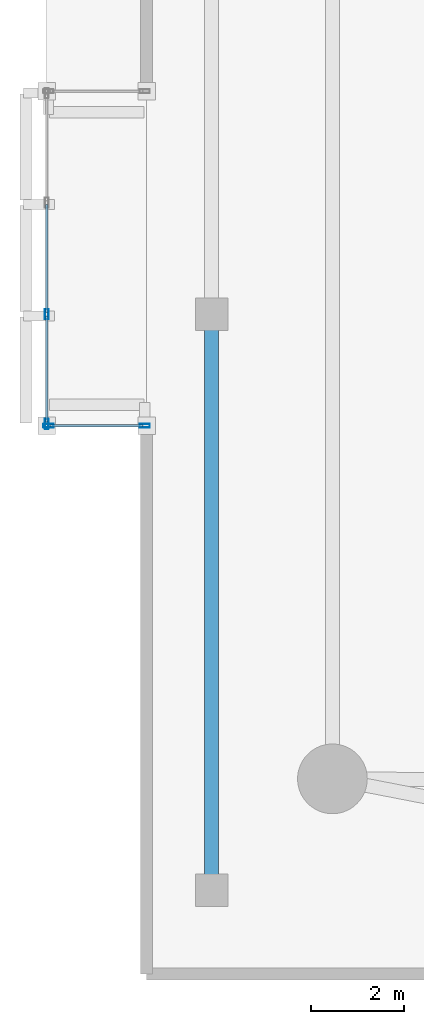
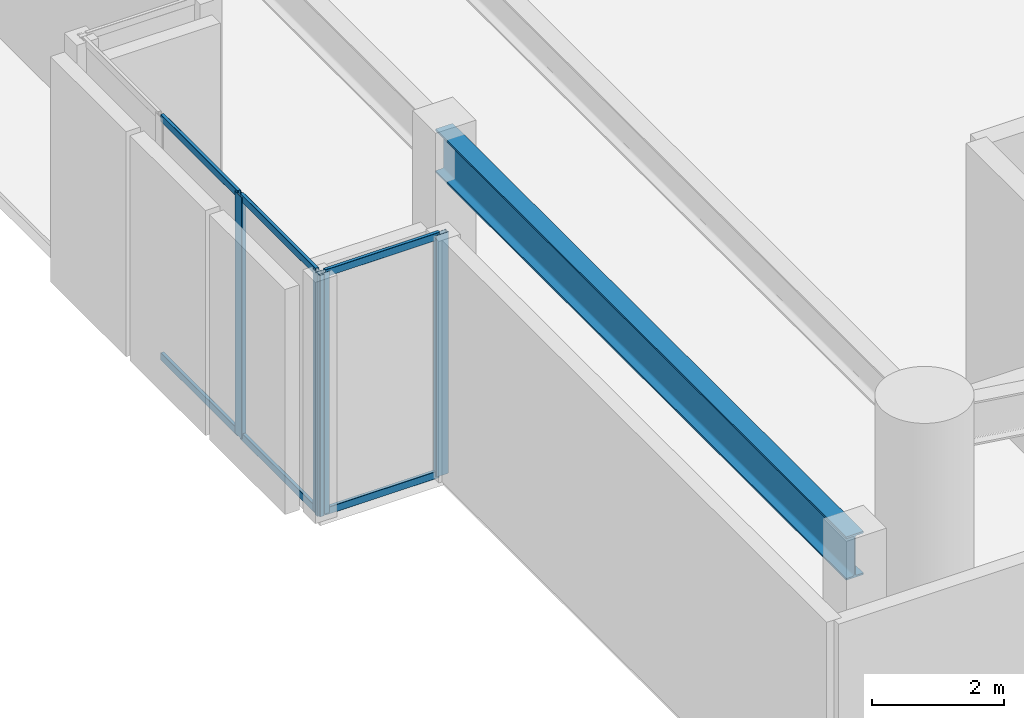
# One storey, part 2 of 15: 10 members, 1 beam, 2 elements without a shape of their own.
"""IFC4 building model written with IfcOpenShell, lengths in metres."""

import ifcopenshell
import ifcopenshell.guid

model = None  # the IFC model being written
_history = None  # IfcOwnerHistory: only IFC2X3 demands one
_inside = {}  # id of a spatial element -> (the spatial element, [elements in it])
_under = {}  # id of a project, library or spatial element -> (it, [spatial elements below it])
_declared = {}  # id of a project -> (the project, [libraries it declares])
_typed = {}  # id of a type object -> (the type object, [elements of that type])
_made_of = {}  # id of a material, layer set ... -> (it, [elements and type objects made of it])


def new_model(schema):
    """Start an empty IFC model of exactly this schema.

    Asked for "IFC4X3", IfcOpenShell would pick the latest addendum, in which some entities
    have other attributes; the version numbers below select the first issue.
    IFC2X3 requires an IfcOwnerHistory on every rooted entity: one is made here for all.
    """
    global model, _history
    if schema == "IFC4X3":
        model = ifcopenshell.file(schema_version=(4, 3, 0, 0))
    else:
        model = ifcopenshell.file(schema=schema)
    _inside.clear()
    _under.clear()
    _declared.clear()
    _typed.clear()
    _made_of.clear()
    _history = None
    if model.schema == "IFC2X3":
        org = make("IfcOrganization", Name="unknown")
        user = make(
            "IfcPersonAndOrganization",
            ThePerson=make("IfcPerson", FamilyName="unknown"),
            TheOrganization=org,
        )
        app = make(
            "IfcApplication",
            ApplicationDeveloper=org,
            Version="unknown",
            ApplicationFullName="unknown",
            ApplicationIdentifier="unknown",
        )
        _history = make(
            "IfcOwnerHistory",
            OwningUser=user,
            OwningApplication=app,
            ChangeAction="ADDED",
            CreationDate=0,
        )
    return model


def make(cls, **values):
    """One entity of the class cls with the attributes given. An attribute that is None is left unset."""
    return model.create_entity(
        cls, **{name: value for name, value in values.items() if value is not None}
    )


def rooted(cls, **values):
    """An entity with a GlobalId (a new one), such as an element, a storey or a relation."""
    return make(cls, GlobalId=ifcopenshell.guid.new(), OwnerHistory=_history, **values)


def si_unit(unit_type, name, prefix=None):
    """IfcSIUnit, for example si_unit("LENGTHUNIT", "METRE", prefix="MILLI")."""
    return make("IfcSIUnit", UnitType=unit_type, Prefix=prefix, Name=name)


def assignment(units):
    """IfcUnitAssignment: the units of a project."""
    return None if units is None else make("IfcUnitAssignment", Units=units)


def point(xyz):
    """IfcCartesianPoint."""
    return None if xyz is None else make("IfcCartesianPoint", Coordinates=xyz)


def direction(xyz):
    """IfcDirection."""
    return None if xyz is None else make("IfcDirection", DirectionRatios=xyz)


def frame(location, z_axis=None, x_axis=None):
    """IfcAxis2Placement3D, a coordinate frame: its origin and axes. An axis left out is left unset."""
    return make(
        "IfcAxis2Placement3D",
        Location=point(location),
        Axis=direction(z_axis),
        RefDirection=direction(x_axis),
    )


def frame_2d(location, x_axis=None):
    """IfcAxis2Placement2D, a coordinate frame in the plane: its origin and x axis."""
    return make(
        "IfcAxis2Placement2D", Location=point(location), RefDirection=direction(x_axis)
    )


def origin():
    """The frame at (0, 0, 0) with its axes left unset."""
    return frame((0.0, 0.0, 0.0))


def origin_2d():
    """The frame at (0, 0) in the plane with its x axis left unset."""
    return frame_2d((0.0, 0.0))


def place(relative_to, where):
    """IfcLocalPlacement: puts the frame where relative to a parent placement (None: the world)."""
    return make(
        "IfcLocalPlacement", PlacementRelTo=relative_to, RelativePlacement=where
    )


def context(
    kind, dimensions, precision=None, world=None, true_north=None, identifier=None
):
    """IfcGeometricRepresentationContext, for example the 3D "Model" context."""
    return make(
        "IfcGeometricRepresentationContext",
        ContextIdentifier=identifier,
        ContextType=kind,
        CoordinateSpaceDimension=dimensions,
        Precision=precision,
        WorldCoordinateSystem=world,
        TrueNorth=true_north,
    )


def subcontext(parent, identifier, kind, view, scale=None):
    """IfcGeometricRepresentationSubContext, for example "Body" below "Model"."""
    return make(
        "IfcGeometricRepresentationSubContext",
        ContextIdentifier=identifier,
        ContextType=kind,
        ParentContext=parent,
        TargetScale=scale,
        TargetView=view,
    )


def project(units=None, contexts=None):
    """IfcProject with its units and contexts."""
    return rooted(
        "IfcProject",
        Name="project",
        RepresentationContexts=contexts,
        UnitsInContext=assignment(units),
    )


def spatial(cls, under=None, at=None, **own):
    """A site, building, storey or space (cls), placed at a placement, below another one or the project."""
    s = rooted(cls, ObjectPlacement=at, **own)
    if under is not None:
        _under.setdefault(under.id(), (under, []))[1].append(s)
    return s


def profile(cls, at=None, kind="AREA", **sizes):
    """A parametric profile (cls). Its sizes go by their IFC names, for example OverallWidth=200.0."""
    return make(cls, ProfileType=kind, Position=at, **sizes)


def hollow_rectangle(**sizes):
    """IfcRectangleHollowProfileDef."""
    return profile("IfcRectangleHollowProfileDef", **sizes)


def i_section(**sizes):
    """IfcIShapeProfileDef."""
    return profile("IfcIShapeProfileDef", **sizes)


def extrude(swept, where, along, depth):
    """IfcExtrudedAreaSolid: the profile swept, set in the frame where, extruded along a direction by depth."""
    return make(
        "IfcExtrudedAreaSolid",
        SweptArea=swept,
        Position=where,
        ExtrudedDirection=direction(along),
        Depth=depth,
    )


def shape(context_of_items, identifier, shape_type, items):
    """IfcShapeRepresentation: the items that make up one representation, for example the "Body"."""
    return make(
        "IfcShapeRepresentation",
        ContextOfItems=context_of_items,
        RepresentationIdentifier=identifier,
        RepresentationType=shape_type,
        Items=items,
    )


def material(Name=None, Category=None):
    """IfcMaterial."""
    return make("IfcMaterial", Name=Name, Category=Category)


def layer(
    of_material, thickness, ventilated=None, Name=None, Category=None, Priority=None
):
    """IfcMaterialLayer: one layer of a wall or slab, of a material (None: an air gap)."""
    return make(
        "IfcMaterialLayer",
        Material=of_material,
        LayerThickness=thickness,
        IsVentilated=ventilated,
        Name=Name,
        Category=Category,
        Priority=Priority,
    )


def layer_set(layers, Name=None):
    """IfcMaterialLayerSet."""
    return make("IfcMaterialLayerSet", MaterialLayers=layers, LayerSetName=Name)


def material_profile(
    of_material, cross_section, Name=None, Category=None, Priority=None
):
    """IfcMaterialProfile: a cross section and its material."""
    return make(
        "IfcMaterialProfile",
        Name=Name,
        Material=of_material,
        Profile=cross_section,
        Priority=Priority,
        Category=Category,
    )


def profile_set(profiles, Name=None, composite=None):
    """IfcMaterialProfileSet."""
    return make(
        "IfcMaterialProfileSet",
        Name=Name,
        MaterialProfiles=profiles,
        CompositeProfile=composite,
    )


def made_of(thing, what):
    """Note that an element or type object is made of a material, layer set ...; save() writes the relation."""
    if what is not None:
        _made_of.setdefault(what.id(), (what, []))[1].append(thing)
    return thing


def type_object(cls, material=None, **own):
    """A type object (cls), such as IfcWallType, which elements share."""
    return made_of(rooted(cls, **own), material)


def element(
    cls,
    number,
    at=None,
    inside=None,
    cuts=None,
    type_object=None,
    material=None,
    context=None,
    identifier="Body",
    shape_type=None,
    held_by="IfcProductDefinitionShape",
    body=None,
    shapes=None,
    **own,
):
    """One element of the class cls, such as IfcWall. Its Tag is "e" and its number.

    at: its placement. inside: the storey or other place that contains it. cuts: it is an
    opening in that element (IfcRelVoidsElement). A single representation is given by context,
    identifier, shape_type and body (its items); several are given by shapes. held_by: the class
    of the entity that holds the representations. save() writes the other relations.
    """
    e = rooted(cls, Tag="e%d" % number, ObjectPlacement=at, **own)
    if body is not None:
        shapes = [shape(context, identifier, shape_type, body)]
    if shapes is not None:
        e.Representation = make(held_by, Representations=shapes)
    if inside is not None:
        _inside.setdefault(inside.id(), (inside, []))[1].append(e)
    if cuts is not None:
        rooted(
            "IfcRelVoidsElement", RelatingBuildingElement=cuts, RelatedOpeningElement=e
        )
    if type_object is not None:
        _typed.setdefault(type_object.id(), (type_object, []))[1].append(e)
    return made_of(e, material)


def aggregate(whole, parts):
    """IfcRelAggregates: a whole, such as a stair, and the parts it consists of."""
    return rooted("IfcRelAggregates", RelatingObject=whole, RelatedObjects=parts)


def save(model, path):
    """Write the relations noted so far, then the file.

    IfcRelAggregates (storeys below a building ...), IfcRelContainedInSpatialStructure (elements
    in a storey), IfcRelDefinesByType, IfcRelAssociatesMaterial and IfcRelDeclares: one each for
    every whole, place, type object, material and project.
    """
    for whole, parts in _under.values():
        aggregate(whole, parts)
    for where, things in _inside.values():
        rooted(
            "IfcRelContainedInSpatialStructure",
            RelatedElements=things,
            RelatingStructure=where,
        )
    for kind, things in _typed.values():
        rooted("IfcRelDefinesByType", RelatedObjects=things, RelatingType=kind)
    for what, things in _made_of.values():
        rooted("IfcRelAssociatesMaterial", RelatedObjects=things, RelatingMaterial=what)
    for by, libraries in _declared.values():
        rooted("IfcRelDeclares", RelatingContext=by, RelatedDefinitions=libraries)
    model.write(path)


model = new_model("IFC4")

# Units and contexts
model_context = context("Model", 3, precision=1e-05, world=origin(), true_north=direction((0.0, 1.0)))
body_context = subcontext(model_context, "Body", "Model", "MODEL_VIEW")
ifc_project = project(units=[si_unit("LENGTHUNIT", "METRE"), si_unit("AREAUNIT", "SQUARE_METRE"), si_unit("VOLUMEUNIT", "CUBIC_METRE"), si_unit("PLANEANGLEUNIT", "RADIAN"), si_unit("MASSUNIT", "GRAM", prefix="KILO")], contexts=[model_context])

# Site, building, storey
site_placement = place(None, origin())
site = spatial("IfcSite", under=ifc_project, at=site_placement, CompositionType="ELEMENT")
building_placement = place(site_placement, origin())
building = spatial("IfcBuilding", under=site, at=building_placement, Name="An Khanh Terracotta Commons", CompositionType="ELEMENT")
storey_placement = place(building_placement, frame((0.0, 0.0, 14.699951171875)))
storey = spatial("IfcBuildingStorey", under=building, at=storey_placement, Name="L04", CompositionType="ELEMENT", Elevation=14.699951171875)

# Beam
ifc_material_1 = material(Name="Steel S355J2", Category="steel")
ifc_material_profile_1 = material_profile(ifc_material_1, i_section(OverallWidth=0.300048828125, OverallDepth=0.800048828125, WebThickness=0.017578125, FlangeThickness=0.032958984375, FilletRadius=0.030029296875, at=origin_2d()), Name="HEB800")
ifc_profile_set_1 = profile_set([ifc_material_profile_1], Name="Steel S355J2")
beam_type = type_object("IfcBeamType", Name="BM-HEB800", PredefinedType="BEAM", material=ifc_profile_set_1)
beam_placement = place(storey_placement, frame((3.0, 2.0, 4.050048828125), z_axis=(0.0, 1.0, 0.0), x_axis=(-1.0, 0.0, 0.0)))
element("IfcBeam", 1, at=beam_placement, inside=storey, type_object=beam_type, Name="L04 Primary Podium Girder 1", PredefinedType="BEAM", context=body_context, shape_type="SweptSolid", body=[
    extrude(i_section(OverallWidth=0.300048828125, OverallDepth=0.800048828125, WebThickness=0.017578125, FlangeThickness=0.032958984375, FilletRadius=0.030029296875, at=origin_2d()), origin(), (0.0, 0.0, 1.0), 12.39990234375),
])

# Curtain wall, members
ifc_material_2 = material(Name="Anodised Aluminium 6063-T6", Category="aluminium")
ifc_layer = layer(ifc_material_2, 0.239990234375, Name="Anodised Aluminium 6063-T6")
ifc_layer_set = layer_set([ifc_layer], Name="Anodised Aluminium 6063-T6")
curtain_wall_type = type_object("IfcCurtainWallType", Name="CW-SYS-04", PredefinedType="USERDEFINED", material=ifc_layer_set)
curtain_wall_1_placement = place(storey_placement, origin())
curtain_wall_1 = element("IfcCurtainWall", 2, at=curtain_wall_1_placement, inside=storey, type_object=curtain_wall_type, Name="L04 CW-04 Unitised Curtain Wall CW-L04-WBOX-1", ObjectType="UNITISED CURTAIN WALL", PredefinedType="USERDEFINED")
ifc_material_profile_2 = material_profile(ifc_material_2, hollow_rectangle(XDim=0.080078125, YDim=0.219970703125, WallThickness=0.0048828125, InnerFilletRadius=0.0048828125, OuterFilletRadius=0.010009765625, at=origin_2d()), Name="RHS220x80x5")
ifc_profile_set_2 = profile_set([ifc_material_profile_2], Name="Anodised Aluminium 6063-T6")
member_type_1 = type_object("IfcMemberType", Name="CWM-RHS220x80x5", PredefinedType="MULLION", material=ifc_profile_set_2)
member_1_placement = place(storey_placement, frame((-0.550048828125, 14.39990234375, 0.0), z_axis=(0.0, 0.0, 1.0), x_axis=(1.0, 0.0, 0.0)))
member_1 = element("IfcMember", 3, at=member_1_placement, type_object=member_type_1, Name="CW-04 mullion 3", PredefinedType="MULLION", context=body_context, shape_type="SweptSolid", body=[
    extrude(hollow_rectangle(XDim=0.080078125, YDim=0.219970703125, WallThickness=0.0048828125, InnerFilletRadius=0.0048828125, OuterFilletRadius=0.010009765625, at=origin_2d()), origin(), (0.0, 0.0, 1.0), 4.449951171875),
])
member_2_placement = place(storey_placement, frame((-0.550048828125, 12.0400390625, 0.0), z_axis=(0.0, 0.0, 1.0), x_axis=(1.0, 0.0, 0.0)))
member_2 = element("IfcMember", 4, at=member_2_placement, type_object=member_type_1, Name="CW-04 mullion 4", PredefinedType="MULLION", context=body_context, shape_type="SweptSolid", body=[
    extrude(hollow_rectangle(XDim=0.080078125, YDim=0.219970703125, WallThickness=0.0048828125, InnerFilletRadius=0.0048828125, OuterFilletRadius=0.010009765625, at=origin_2d()), origin(), (0.0, 0.0, 1.0), 4.449951171875),
])

curtain_wall_2_placement = place(storey_placement, origin())
curtain_wall_2 = element("IfcCurtainWall", 5, at=curtain_wall_2_placement, inside=storey, type_object=curtain_wall_type, Name="L04 CW-04 Unitised Curtain Wall CW-L04-WBOX-2", ObjectType="UNITISED CURTAIN WALL", PredefinedType="USERDEFINED")
member_3_placement = place(storey_placement, frame((1.56005859375, 12.0, 0.0), z_axis=(0.0, 0.0, 1.0), x_axis=(0.0, -1.0, 0.0)))
member_3 = element("IfcMember", 6, at=member_3_placement, type_object=member_type_1, Name="CW-04 mullion 1", PredefinedType="MULLION", context=body_context, shape_type="SweptSolid", body=[
    extrude(hollow_rectangle(XDim=0.080078125, YDim=0.219970703125, WallThickness=0.0048828125, InnerFilletRadius=0.0048828125, OuterFilletRadius=0.010009765625, at=origin_2d()), origin(), (0.0, 0.0, 1.0), 4.449951171875),
])
member_4_placement = place(storey_placement, frame((-0.510009765625, 12.0, 0.0), z_axis=(0.0, 0.0, 1.0), x_axis=(0.0, -1.0, 0.0)))
member_4 = element("IfcMember", 7, at=member_4_placement, type_object=member_type_1, Name="CW-04 mullion 2", PredefinedType="MULLION", context=body_context, shape_type="SweptSolid", body=[
    extrude(hollow_rectangle(XDim=0.080078125, YDim=0.219970703125, WallThickness=0.0048828125, InnerFilletRadius=0.0048828125, OuterFilletRadius=0.010009765625, at=origin_2d()), origin(), (0.0, 0.0, 1.0), 4.449951171875),
])

# Member
ifc_material_profile_3 = material_profile(ifc_material_2, hollow_rectangle(XDim=0.06005859375, YDim=0.135009765625, WallThickness=0.003662109375, InnerFilletRadius=0.003662109375, OuterFilletRadius=0.007080078125, at=origin_2d()), Name="RHS135x60x3.6")
ifc_profile_set_3 = profile_set([ifc_material_profile_3], Name="Anodised Aluminium 6063-T6")
member_type_2 = type_object("IfcMemberType", Name="CWT-RHS135x60x3.6", PredefinedType="USERDEFINED", material=ifc_profile_set_3)
member_5_placement = place(storey_placement, frame((-0.550048828125, 16.760009765625, 0.030029296875), z_axis=(0.0, -1.0, 0.0), x_axis=(1.0, 0.0, 0.0)))
member_5 = element("IfcMember", 8, at=member_5_placement, type_object=member_type_2, Name="CW-04 transom 2.1", ObjectType="TRANSOM", PredefinedType="USERDEFINED", context=body_context, shape_type="SweptSolid", body=[
    extrude(hollow_rectangle(XDim=0.06005859375, YDim=0.135009765625, WallThickness=0.003662109375, InnerFilletRadius=0.003662109375, OuterFilletRadius=0.007080078125, at=origin_2d()), origin(), (0.0, 0.0, 1.0), 2.320068359375),
])

member_6_placement = place(storey_placement, frame((-0.550048828125, 16.760009765625, 4.420166015625), z_axis=(0.0, -1.0, 0.0), x_axis=(1.0, 0.0, 0.0)))
member_6 = element("IfcMember", 9, at=member_6_placement, type_object=member_type_2, Name="CW-04 transom 2.2", ObjectType="TRANSOM", PredefinedType="USERDEFINED", context=body_context, shape_type="SweptSolid", body=[
    extrude(hollow_rectangle(XDim=0.06005859375, YDim=0.135009765625, WallThickness=0.003662109375, InnerFilletRadius=0.003662109375, OuterFilletRadius=0.007080078125, at=origin_2d()), origin(), (0.0, 0.0, 1.0), 2.320068359375),
])

member_7_placement = place(storey_placement, frame((-0.550048828125, 14.360107421875, 0.030029296875), z_axis=(0.0, -1.0, 0.0), x_axis=(1.0, 0.0, 0.0)))
member_7 = element("IfcMember", 10, at=member_7_placement, type_object=member_type_2, Name="CW-04 transom 3.1", ObjectType="TRANSOM", PredefinedType="USERDEFINED", context=body_context, shape_type="SweptSolid", body=[
    extrude(hollow_rectangle(XDim=0.06005859375, YDim=0.135009765625, WallThickness=0.003662109375, InnerFilletRadius=0.003662109375, OuterFilletRadius=0.007080078125, at=origin_2d()), origin(), (0.0, 0.0, 1.0), 2.280029296875),
])

member_8_placement = place(storey_placement, frame((-0.550048828125, 14.360107421875, 4.420166015625), z_axis=(0.0, -1.0, 0.0), x_axis=(1.0, 0.0, 0.0)))
member_8 = element("IfcMember", 11, at=member_8_placement, type_object=member_type_2, Name="CW-04 transom 3.2", ObjectType="TRANSOM", PredefinedType="USERDEFINED", context=body_context, shape_type="SweptSolid", body=[
    extrude(hollow_rectangle(XDim=0.06005859375, YDim=0.135009765625, WallThickness=0.003662109375, InnerFilletRadius=0.003662109375, OuterFilletRadius=0.007080078125, at=origin_2d()), origin(), (0.0, 0.0, 1.0), 2.280029296875),
])

aggregate(curtain_wall_1, [member_1, member_2, member_5, member_6, member_7, member_8])

member_9_placement = place(storey_placement, frame((1.52001953125, 12.0, 0.030029296875), z_axis=(-1.0, 0.0, 0.0), x_axis=(0.0, -1.0, 0.0)))
member_9 = element("IfcMember", 12, at=member_9_placement, type_object=member_type_2, Name="CW-04 transom 1.1", ObjectType="TRANSOM", PredefinedType="USERDEFINED", context=body_context, shape_type="SweptSolid", body=[
    extrude(hollow_rectangle(XDim=0.06005859375, YDim=0.135009765625, WallThickness=0.003662109375, InnerFilletRadius=0.003662109375, OuterFilletRadius=0.007080078125, at=origin_2d()), origin(), (0.0, 0.0, 1.0), 1.989990234375),
])

member_10_placement = place(storey_placement, frame((1.52001953125, 12.0, 4.420166015625), z_axis=(-1.0, 0.0, 0.0), x_axis=(0.0, -1.0, 0.0)))
member_10 = element("IfcMember", 13, at=member_10_placement, type_object=member_type_2, Name="CW-04 transom 1.2", ObjectType="TRANSOM", PredefinedType="USERDEFINED", context=body_context, shape_type="SweptSolid", body=[
    extrude(hollow_rectangle(XDim=0.06005859375, YDim=0.135009765625, WallThickness=0.003662109375, InnerFilletRadius=0.003662109375, OuterFilletRadius=0.007080078125, at=origin_2d()), origin(), (0.0, 0.0, 1.0), 1.989990234375),
])

aggregate(curtain_wall_2, [member_3, member_4, member_9, member_10])

save(model, "model.ifc")
